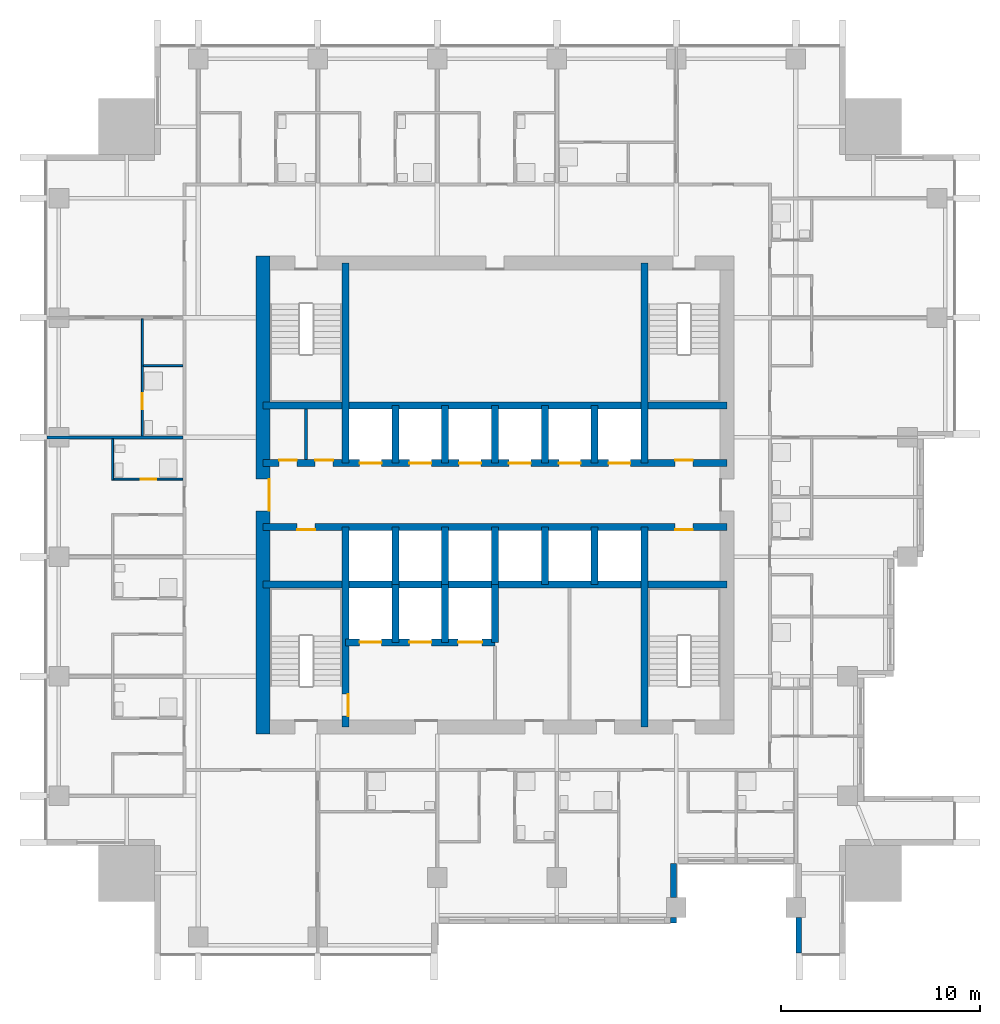
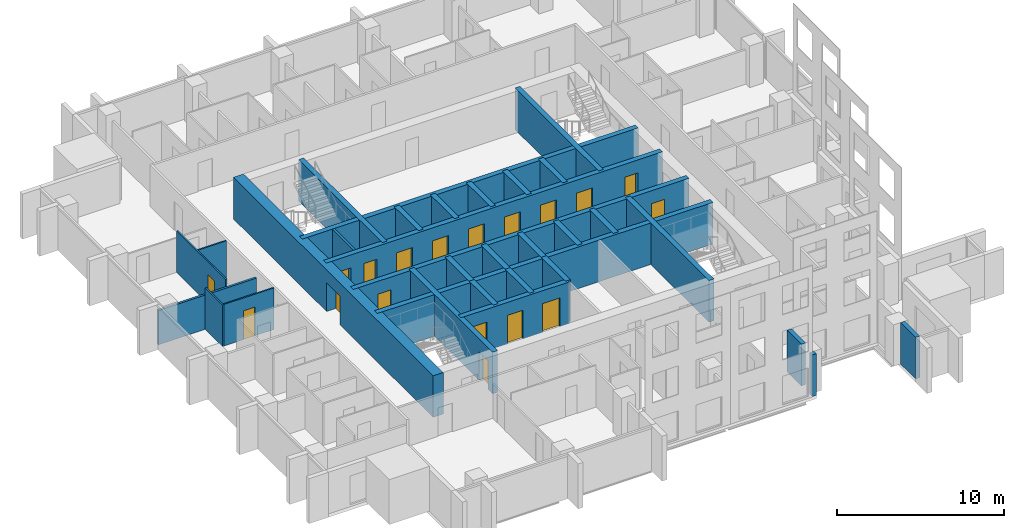
# One storey, part 5 of 11: 32 walls, 18 doors, 18 openings.
"""IFC4 building model written with IfcOpenShell, lengths in metres."""

from ifc_helpers import new_model, si_unit, direction, frame, frame_2d, origin, place, context, subcontext, project, spatial, rectangle, extrude, material, layer, layer_set, type_object, element, fill, save


model = new_model("IFC4")

# Units and contexts
model_context = context("Model", 3, precision=1e-05, world=origin(), true_north=direction((0.0, 1.0)))
body_context = subcontext(model_context, "Body", "Model", "MODEL_VIEW")
ifc_project = project(units=[si_unit("LENGTHUNIT", "METRE"), si_unit("AREAUNIT", "SQUARE_METRE"), si_unit("VOLUMEUNIT", "CUBIC_METRE"), si_unit("PLANEANGLEUNIT", "RADIAN"), si_unit("MASSUNIT", "GRAM", prefix="KILO")], contexts=[model_context])

# Site, building, storey
site_placement = place(None, origin())
site = spatial("IfcSite", under=ifc_project, at=site_placement, CompositionType="ELEMENT")
building_placement = place(site_placement, origin())
building = spatial("IfcBuilding", under=site, at=building_placement, Name="Amberfall Residences", CompositionType="ELEMENT")
storey_placement = place(building_placement, frame((0.0, 0.0, 154.89990234375)))
storey = spatial("IfcBuildingStorey", under=building, at=storey_placement, Name="L41", CompositionType="ELEMENT", Elevation=154.89990234375)

# Walls
ifc_material_1 = material(Name="Pale stone cladding on insulated backing", Category="masonry")
ifc_layer_1 = layer(ifc_material_1, 0.300048828125)
ifc_layer_set_1 = layer_set([ifc_layer_1], Name="Bronze clad wall 300")
wall_type_1 = type_object("IfcWallType", Name="Bronze clad wall 300", PredefinedType="SOLIDWALL", material=ifc_layer_set_1)
wall_1_placement = place(storey_placement, frame((83.449951171875, 24.0, 0.0), z_axis=(0.0, 0.0, 1.0), x_axis=(0.0, 1.0, 0.0)))
element("IfcWall", 1, at=wall_1_placement, inside=storey, type_object=wall_type_1, Name="External wall L41 S", PredefinedType="SOLIDWALL", context=body_context, shape_type="SweptSolid", body=[
    extrude(rectangle(XDim=0.300048828125, YDim=0.300048828125, at=frame_2d((0.14990234375, 0.0))), origin(), (0.0, 0.0, 1.0), 3.050048828125),
])
wall_2_placement = place(storey_placement, frame((83.449951171875, 25.300048828125, 0.0), z_axis=(0.0, 0.0, 1.0), x_axis=(0.0, 1.0, 0.0)))
element("IfcWall", 2, at=wall_2_placement, inside=storey, type_object=wall_type_1, Name="External wall L41 S", PredefinedType="SOLIDWALL", context=body_context, shape_type="SweptSolid", body=[
    extrude(rectangle(XDim=1.699951171875, YDim=0.300048828125, at=frame_2d((0.85009765625, 0.0))), origin(), (0.0, 0.0, 1.0), 3.050048828125),
])
wall_3_placement = place(storey_placement, frame((89.75, 24.300048828125, 0.0), z_axis=(0.0, 0.0, 1.0), x_axis=(0.0, -1.0, 0.0)))
element("IfcWall", 3, at=wall_3_placement, inside=storey, type_object=wall_type_1, Name="External wall L41 S", PredefinedType="SOLIDWALL", context=body_context, shape_type="SweptSolid", body=[
    extrude(rectangle(XDim=1.800048828125, YDim=0.300048828125, at=frame_2d((0.89990234375, 0.0))), origin(), (0.0, 0.0, 1.0), 3.050048828125),
])
ifc_material_2 = material(Name="Concrete C60", Category="concrete")
ifc_layer_2 = layer(ifc_material_2, 0.35009765625)
ifc_layer_set_2 = layer_set([ifc_layer_2], Name="Core wall 350 C60")
wall_type_2 = type_object("IfcWallType", Name="Core wall 350 C60", PredefinedType="SHEAR", material=ifc_layer_set_2)
wall_4_placement = place(storey_placement, frame((62.85009765625, 41.0, 0.0), z_axis=(0.0, 0.0, 1.0), x_axis=(1.0, 0.0, 0.0)))
element("IfcWall", 4, at=wall_4_placement, inside=storey, type_object=wall_type_2, Name="Core wall RW6 L41 H75", PredefinedType="SHEAR", context=body_context, shape_type="SweptSolid", body=[
    extrude(rectangle(XDim=23.2998046875, YDim=0.35009765625, at=frame_2d((11.64990234375, 0.0))), origin(), (0.0, 0.0, 1.0), 3.050048828125),
])

# Wall, openings, doors
wall_5_placement = place(storey_placement, frame((62.85009765625, 43.89990234375, 0.0), z_axis=(0.0, 0.0, 1.0), x_axis=(1.0, 0.0, 0.0)))
wall_5 = element("IfcWall", 5, at=wall_5_placement, inside=storey, type_object=wall_type_2, Name="Core wall RW6 L41 H104", PredefinedType="SHEAR", context=body_context, shape_type="SweptSolid", body=[
    extrude(rectangle(XDim=23.2998046875, YDim=0.35009765625, at=frame_2d((11.64990234375, 0.0))), origin(), (0.0, 0.0, 1.0), 3.050048828125),
])
opening_1_placement = place(wall_5_placement, frame((1.71240234375, 0.0, 0.0)))
opening_1 = element("IfcOpeningElement", 6, at=opening_1_placement, cuts=wall_5, Name="Opening RD1", PredefinedType="OPENING", context=body_context, shape_type="SweptSolid", body=[
    extrude(rectangle(XDim=0.89990234375, YDim=2.10009765625, at=frame_2d((0.449951171875, 1.050048828125))), frame((0.0, 0.18505859375, 0.0), z_axis=(0.0, -1.0, 0.0), x_axis=(1.0, 0.0, 0.0)), (0.0, 0.0, 1.0), 0.3701171875),
])
opening_2_placement = place(wall_5_placement, frame((20.6875, 0.0, 0.0)))
opening_2 = element("IfcOpeningElement", 7, at=opening_2_placement, cuts=wall_5, Name="Opening RD1", PredefinedType="OPENING", context=body_context, shape_type="SweptSolid", body=[
    extrude(rectangle(XDim=0.89990234375, YDim=2.10009765625, at=frame_2d((0.449951171875, 1.050048828125))), frame((0.0, 0.18505859375, 0.0), z_axis=(0.0, -1.0, 0.0), x_axis=(1.0, 0.0, 0.0)), (0.0, 0.0, 1.0), 0.3701171875),
])
ifc_material_3 = material(Name="Steel fire door set", Category="steel")
door_type_1 = type_object("IfcDoorType", Name="Service room door 900 x 2100", OperationType="SINGLE_SWING_LEFT", PredefinedType="DOOR", material=ifc_material_3)
door_1_placement = place(opening_1_placement, origin())
door_1 = element("IfcDoor", 8, at=door_1_placement, inside=storey, type_object=door_type_1, Name="RD1 L41", OperationType="SINGLE_SWING_LEFT", OverallHeight=2.10009765625, OverallWidth=0.89990234375, PredefinedType="DOOR", context=body_context, shape_type="SweptSolid", body=[
    extrude(rectangle(XDim=0.89990234375, YDim=2.10009765625, at=frame_2d((0.449951171875, 1.050048828125))), frame((0.0, -0.1123046875, 0.0), z_axis=(0.0, -1.0, 0.0), x_axis=(1.0, 0.0, 0.0)), (0.0, 0.0, 1.0), 0.050048828125),
])
fill(opening_1, door_1)
door_2_placement = place(opening_2_placement, origin())
door_2 = element("IfcDoor", 9, at=door_2_placement, inside=storey, type_object=door_type_1, Name="RD1 L41", OperationType="SINGLE_SWING_LEFT", OverallHeight=2.10009765625, OverallWidth=0.89990234375, PredefinedType="DOOR", context=body_context, shape_type="SweptSolid", body=[
    extrude(rectangle(XDim=0.89990234375, YDim=2.10009765625, at=frame_2d((0.449951171875, 1.050048828125))), frame((0.0, -0.1123046875, 0.0), z_axis=(0.0, -1.0, 0.0), x_axis=(1.0, 0.0, 0.0)), (0.0, 0.0, 1.0), 0.050048828125),
])
fill(opening_2, door_2)

wall_6_placement = place(storey_placement, frame((62.85009765625, 47.10009765625, 0.0), z_axis=(0.0, 0.0, 1.0), x_axis=(1.0, 0.0, 0.0)))
wall_6 = element("IfcWall", 10, at=wall_6_placement, inside=storey, type_object=wall_type_2, Name="Core wall RW6 L41 H136", PredefinedType="SHEAR", context=body_context, shape_type="SweptSolid", body=[
    extrude(rectangle(XDim=23.2998046875, YDim=0.35009765625, at=frame_2d((11.64990234375, 0.0))), origin(), (0.0, 0.0, 1.0), 3.050048828125),
])
opening_3_placement = place(wall_6_placement, frame((0.806396484375, 0.0, 0.0)))
opening_3 = element("IfcOpeningElement", 11, at=opening_3_placement, cuts=wall_6, Name="Opening RD1", PredefinedType="OPENING", context=body_context, shape_type="SweptSolid", body=[
    extrude(rectangle(XDim=0.89990234375, YDim=2.10009765625, at=frame_2d((0.449951171875, 1.050048828125))), frame((0.0, 0.18505859375, 0.0), z_axis=(0.0, -1.0, 0.0), x_axis=(1.0, 0.0, 0.0)), (0.0, 0.0, 1.0), 0.3701171875),
])
opening_4_placement = place(wall_6_placement, frame((2.618896484375, 0.0, 0.0)))
opening_4 = element("IfcOpeningElement", 12, at=opening_4_placement, cuts=wall_6, Name="Opening RD1", PredefinedType="OPENING", context=body_context, shape_type="SweptSolid", body=[
    extrude(rectangle(XDim=0.89990234375, YDim=2.10009765625, at=frame_2d((0.449951171875, 1.050048828125))), frame((0.0, 0.18505859375, 0.0), z_axis=(0.0, -1.0, 0.0), x_axis=(1.0, 0.0, 0.0)), (0.0, 0.0, 1.0), 0.3701171875),
])
opening_5_placement = place(wall_6_placement, frame((20.6875, 0.0, 0.0)))
opening_5 = element("IfcOpeningElement", 13, at=opening_5_placement, cuts=wall_6, Name="Opening RD1", PredefinedType="OPENING", context=body_context, shape_type="SweptSolid", body=[
    extrude(rectangle(XDim=0.89990234375, YDim=2.10009765625, at=frame_2d((0.449951171875, 1.050048828125))), frame((0.0, 0.18505859375, 0.0), z_axis=(0.0, -1.0, 0.0), x_axis=(1.0, 0.0, 0.0)), (0.0, 0.0, 1.0), 0.3701171875),
])
opening_6_placement = place(wall_6_placement, frame((4.85009765625, 0.0, 0.0)))
opening_6 = element("IfcOpeningElement", 14, at=opening_6_placement, cuts=wall_6, Name="Opening LD1", PredefinedType="OPENING", context=body_context, shape_type="SweptSolid", body=[
    extrude(rectangle(XDim=1.10009765625, YDim=2.10009765625, at=frame_2d((0.550048828125, 1.050048828125))), frame((0.0, 0.18505859375, 0.0), z_axis=(0.0, -1.0, 0.0), x_axis=(1.0, 0.0, 0.0)), (0.0, 0.0, 1.0), 0.3701171875),
])
opening_7_placement = place(wall_6_placement, frame((7.35009765625, 0.0, 0.0)))
opening_7 = element("IfcOpeningElement", 15, at=opening_7_placement, cuts=wall_6, Name="Opening LD1", PredefinedType="OPENING", context=body_context, shape_type="SweptSolid", body=[
    extrude(rectangle(XDim=1.10009765625, YDim=2.10009765625, at=frame_2d((0.550048828125, 1.050048828125))), frame((0.0, 0.18505859375, 0.0), z_axis=(0.0, -1.0, 0.0), x_axis=(1.0, 0.0, 0.0)), (0.0, 0.0, 1.0), 0.3701171875),
])
opening_8_placement = place(wall_6_placement, frame((9.85009765625, 0.0, 0.0)))
opening_8 = element("IfcOpeningElement", 16, at=opening_8_placement, cuts=wall_6, Name="Opening LD1", PredefinedType="OPENING", context=body_context, shape_type="SweptSolid", body=[
    extrude(rectangle(XDim=1.10009765625, YDim=2.10009765625, at=frame_2d((0.550048828125, 1.050048828125))), frame((0.0, 0.18505859375, 0.0), z_axis=(0.0, -1.0, 0.0), x_axis=(1.0, 0.0, 0.0)), (0.0, 0.0, 1.0), 0.3701171875),
])
opening_9_placement = place(wall_6_placement, frame((12.35009765625, 0.0, 0.0)))
opening_9 = element("IfcOpeningElement", 17, at=opening_9_placement, cuts=wall_6, Name="Opening LD1", PredefinedType="OPENING", context=body_context, shape_type="SweptSolid", body=[
    extrude(rectangle(XDim=1.10009765625, YDim=2.10009765625, at=frame_2d((0.550048828125, 1.050048828125))), frame((0.0, 0.18505859375, 0.0), z_axis=(0.0, -1.0, 0.0), x_axis=(1.0, 0.0, 0.0)), (0.0, 0.0, 1.0), 0.3701171875),
])
opening_10_placement = place(wall_6_placement, frame((14.85009765625, 0.0, 0.0)))
opening_10 = element("IfcOpeningElement", 18, at=opening_10_placement, cuts=wall_6, Name="Opening LD1", PredefinedType="OPENING", context=body_context, shape_type="SweptSolid", body=[
    extrude(rectangle(XDim=1.10009765625, YDim=2.10009765625, at=frame_2d((0.550048828125, 1.050048828125))), frame((0.0, 0.18505859375, 0.0), z_axis=(0.0, -1.0, 0.0), x_axis=(1.0, 0.0, 0.0)), (0.0, 0.0, 1.0), 0.3701171875),
])
opening_11_placement = place(wall_6_placement, frame((17.35009765625, 0.0, 0.0)))
opening_11 = element("IfcOpeningElement", 19, at=opening_11_placement, cuts=wall_6, Name="Opening LD1", PredefinedType="OPENING", context=body_context, shape_type="SweptSolid", body=[
    extrude(rectangle(XDim=1.10009765625, YDim=2.10009765625, at=frame_2d((0.550048828125, 1.050048828125))), frame((0.0, 0.18505859375, 0.0), z_axis=(0.0, -1.0, 0.0), x_axis=(1.0, 0.0, 0.0)), (0.0, 0.0, 1.0), 0.3701171875),
])
door_type_2 = type_object("IfcDoorType", Name="Lift landing door 1100 x 2100", OperationType="DOUBLE_DOOR_SLIDING", PredefinedType="DOOR", material=ifc_material_3)
door_3_placement = place(opening_6_placement, origin())
door_3 = element("IfcDoor", 20, at=door_3_placement, inside=storey, type_object=door_type_2, Name="Landing door HP1 L41", OperationType="DOUBLE_DOOR_SLIDING", OverallHeight=2.10009765625, OverallWidth=1.10009765625, PredefinedType="DOOR", context=body_context, shape_type="SweptSolid", body=[
    extrude(rectangle(XDim=1.10009765625, YDim=2.10009765625, at=frame_2d((0.550048828125, 1.050048828125))), frame((0.0, 0.02490234375, 0.0), z_axis=(0.0, -1.0, 0.0), x_axis=(1.0, 0.0, 0.0)), (0.0, 0.0, 1.0), 0.050048828125),
])
fill(opening_6, door_3)
door_4_placement = place(opening_7_placement, origin())
door_4 = element("IfcDoor", 21, at=door_4_placement, inside=storey, type_object=door_type_2, Name="Landing door HP2 L41", OperationType="DOUBLE_DOOR_SLIDING", OverallHeight=2.10009765625, OverallWidth=1.10009765625, PredefinedType="DOOR", context=body_context, shape_type="SweptSolid", body=[
    extrude(rectangle(XDim=1.10009765625, YDim=2.10009765625, at=frame_2d((0.550048828125, 1.050048828125))), frame((0.0, 0.02490234375, 0.0), z_axis=(0.0, -1.0, 0.0), x_axis=(1.0, 0.0, 0.0)), (0.0, 0.0, 1.0), 0.050048828125),
])
fill(opening_7, door_4)
door_5_placement = place(opening_8_placement, origin())
door_5 = element("IfcDoor", 22, at=door_5_placement, inside=storey, type_object=door_type_2, Name="Landing door HP3 L41", OperationType="DOUBLE_DOOR_SLIDING", OverallHeight=2.10009765625, OverallWidth=1.10009765625, PredefinedType="DOOR", context=body_context, shape_type="SweptSolid", body=[
    extrude(rectangle(XDim=1.10009765625, YDim=2.10009765625, at=frame_2d((0.550048828125, 1.050048828125))), frame((0.0, 0.02490234375, 0.0), z_axis=(0.0, -1.0, 0.0), x_axis=(1.0, 0.0, 0.0)), (0.0, 0.0, 1.0), 0.050048828125),
])
fill(opening_8, door_5)
door_6_placement = place(opening_9_placement, origin())
door_6 = element("IfcDoor", 23, at=door_6_placement, inside=storey, type_object=door_type_2, Name="Landing door HP4 L41", OperationType="DOUBLE_DOOR_SLIDING", OverallHeight=2.10009765625, OverallWidth=1.10009765625, PredefinedType="DOOR", context=body_context, shape_type="SweptSolid", body=[
    extrude(rectangle(XDim=1.10009765625, YDim=2.10009765625, at=frame_2d((0.550048828125, 1.050048828125))), frame((0.0, 0.02490234375, 0.0), z_axis=(0.0, -1.0, 0.0), x_axis=(1.0, 0.0, 0.0)), (0.0, 0.0, 1.0), 0.050048828125),
])
fill(opening_9, door_6)
door_7_placement = place(opening_10_placement, origin())
door_7 = element("IfcDoor", 24, at=door_7_placement, inside=storey, type_object=door_type_2, Name="Landing door HP5 L41", OperationType="DOUBLE_DOOR_SLIDING", OverallHeight=2.10009765625, OverallWidth=1.10009765625, PredefinedType="DOOR", context=body_context, shape_type="SweptSolid", body=[
    extrude(rectangle(XDim=1.10009765625, YDim=2.10009765625, at=frame_2d((0.550048828125, 1.050048828125))), frame((0.0, 0.02490234375, 0.0), z_axis=(0.0, -1.0, 0.0), x_axis=(1.0, 0.0, 0.0)), (0.0, 0.0, 1.0), 0.050048828125),
])
fill(opening_10, door_7)
door_8_placement = place(opening_11_placement, origin())
door_8 = element("IfcDoor", 25, at=door_8_placement, inside=storey, type_object=door_type_2, Name="Landing door HP6 L41", OperationType="DOUBLE_DOOR_SLIDING", OverallHeight=2.10009765625, OverallWidth=1.10009765625, PredefinedType="DOOR", context=body_context, shape_type="SweptSolid", body=[
    extrude(rectangle(XDim=1.10009765625, YDim=2.10009765625, at=frame_2d((0.550048828125, 1.050048828125))), frame((0.0, 0.02490234375, 0.0), z_axis=(0.0, -1.0, 0.0), x_axis=(1.0, 0.0, 0.0)), (0.0, 0.0, 1.0), 0.050048828125),
])
fill(opening_11, door_8)
door_9_placement = place(opening_3_placement, origin())
door_9 = element("IfcDoor", 26, at=door_9_placement, inside=storey, type_object=door_type_1, Name="RD1 L41", OperationType="SINGLE_SWING_LEFT", OverallHeight=2.10009765625, OverallWidth=0.89990234375, PredefinedType="DOOR", context=body_context, shape_type="SweptSolid", body=[
    extrude(rectangle(XDim=0.89990234375, YDim=2.10009765625, at=frame_2d((0.449951171875, 1.050048828125))), frame((0.0, 0.16259765625, 0.0), z_axis=(0.0, -1.0, 0.0), x_axis=(1.0, 0.0, 0.0)), (0.0, 0.0, 1.0), 0.050048828125),
])
fill(opening_3, door_9)
door_10_placement = place(opening_4_placement, origin())
door_10 = element("IfcDoor", 27, at=door_10_placement, inside=storey, type_object=door_type_1, Name="RD1 L41", OperationType="SINGLE_SWING_RIGHT", OverallHeight=2.10009765625, OverallWidth=0.89990234375, PredefinedType="DOOR", context=body_context, shape_type="SweptSolid", body=[
    extrude(rectangle(XDim=0.89990234375, YDim=2.10009765625, at=frame_2d((0.449951171875, 1.050048828125))), frame((0.0, 0.16259765625, 0.0), z_axis=(0.0, -1.0, 0.0), x_axis=(1.0, 0.0, 0.0)), (0.0, 0.0, 1.0), 0.050048828125),
])
fill(opening_4, door_10)
door_11_placement = place(opening_5_placement, origin())
door_11 = element("IfcDoor", 28, at=door_11_placement, inside=storey, type_object=door_type_1, Name="RD1 L41", OperationType="SINGLE_SWING_LEFT", OverallHeight=2.10009765625, OverallWidth=0.89990234375, PredefinedType="DOOR", context=body_context, shape_type="SweptSolid", body=[
    extrude(rectangle(XDim=0.89990234375, YDim=2.10009765625, at=frame_2d((0.449951171875, 1.050048828125))), frame((0.0, 0.16259765625, 0.0), z_axis=(0.0, -1.0, 0.0), x_axis=(1.0, 0.0, 0.0)), (0.0, 0.0, 1.0), 0.050048828125),
])
fill(opening_5, door_11)

# Wall
wall_7_placement = place(storey_placement, frame((62.85009765625, 50.0, 0.0), z_axis=(0.0, 0.0, 1.0), x_axis=(1.0, 0.0, 0.0)))
element("IfcWall", 29, at=wall_7_placement, inside=storey, type_object=wall_type_2, Name="Core wall RW6 L41 H165", PredefinedType="SHEAR", context=body_context, shape_type="SweptSolid", body=[
    extrude(rectangle(XDim=23.2998046875, YDim=0.35009765625, at=frame_2d((11.64990234375, 0.0))), origin(), (0.0, 0.0, 1.0), 3.050048828125),
])

# Wall, opening, door
wall_8_placement = place(storey_placement, frame((67.0, 33.85009765625, 0.0), z_axis=(0.0, 0.0, 1.0), x_axis=(0.0, 1.0, 0.0)))
wall_8 = element("IfcWall", 30, at=wall_8_placement, inside=storey, type_object=wall_type_2, Name="Core wall RW6 L41 V45S", PredefinedType="SHEAR", context=body_context, shape_type="SweptSolid", body=[
    extrude(rectangle(XDim=10.0498046875, YDim=0.35009765625, at=frame_2d((5.02490234375, 0.0))), origin(), (0.0, 0.0, 1.0), 3.050048828125),
])
opening_12_placement = place(wall_8_placement, frame((0.550048828125, 0.0, 0.0)))
opening_12 = element("IfcOpeningElement", 31, at=opening_12_placement, cuts=wall_8, Name="Opening FL1", PredefinedType="OPENING", context=body_context, shape_type="SweptSolid", body=[
    extrude(rectangle(XDim=1.10009765625, YDim=2.10009765625, at=frame_2d((0.550048828125, 1.050048828125))), frame((0.0, 0.18505859375, 0.0), z_axis=(0.0, -1.0, 0.0), x_axis=(1.0, 0.0, 0.0)), (0.0, 0.0, 1.0), 0.3701171875),
])
door_type_3 = type_object("IfcDoorType", Name="Firefighting lobby door 1100 x 2100", OperationType="SINGLE_SWING_LEFT", PredefinedType="DOOR", material=ifc_material_3)
door_12_placement = place(opening_12_placement, origin())
door_12 = element("IfcDoor", 32, at=door_12_placement, inside=storey, type_object=door_type_3, Name="FL1 L41", OperationType="SINGLE_SWING_RIGHT", OverallHeight=2.10009765625, OverallWidth=1.10009765625, PredefinedType="DOOR", context=body_context, shape_type="SweptSolid", body=[
    extrude(rectangle(XDim=1.10009765625, YDim=2.10009765625, at=frame_2d((0.550048828125, 1.050048828125))), frame((0.0, -0.1123046875, 0.0), z_axis=(0.0, -1.0, 0.0), x_axis=(1.0, 0.0, 0.0)), (0.0, 0.0, 1.0), 0.050048828125),
])
fill(opening_12, door_12)

# Walls
for number, where, z_axis, x_axis, name in (
    (33, (67.0, 47.10009765625, 0.0), (0.0, 0.0, 1.0), (0.0, 1.0, 0.0), "Core wall RW6 L41 V45N"),
    (34, (82.0, 33.85009765625, 0.0), (0.0, 0.0, 1.0), (0.0, 1.0, 0.0), "Core wall RW6 L41 V195S"),
    (35, (82.0, 47.10009765625, 0.0), (0.0, 0.0, 1.0), (0.0, 1.0, 0.0), "Core wall RW6 L41 V195N"),
):
    element("IfcWall", number, at=place(storey_placement, frame(where, z_axis=z_axis, x_axis=x_axis)), inside=storey, type_object=wall_type_2, Name=name, PredefinedType="SHEAR", context=body_context, shape_type="SweptSolid", body=[
        extrude(rectangle(XDim=10.0498046875, YDim=0.35009765625, at=frame_2d((5.02490234375, 0.0))), origin(), (0.0, 0.0, 1.0), 3.050048828125),
    ])
for number, where, z_axis, x_axis, name in (
    (36, (69.5, 41.0, 0.0), (0.0, 0.0, 1.0), (0.0, 1.0, 0.0), "Core wall RW6 L41 LPD1"),
    (37, (69.5, 47.10009765625, 0.0), (0.0, 0.0, 1.0), (0.0, 1.0, 0.0), "Core wall RW6 L41 HPD1"),
    (38, (72.0, 41.0, 0.0), (0.0, 0.0, 1.0), (0.0, 1.0, 0.0), "Core wall RW6 L41 LPD2"),
    (39, (72.0, 47.10009765625, 0.0), (0.0, 0.0, 1.0), (0.0, 1.0, 0.0), "Core wall RW6 L41 HPD2"),
    (40, (74.5, 41.0, 0.0), (0.0, 0.0, 1.0), (0.0, 1.0, 0.0), "Core wall RW6 L41 LPD3"),
    (41, (74.5, 47.10009765625, 0.0), (0.0, 0.0, 1.0), (0.0, 1.0, 0.0), "Core wall RW6 L41 HPD3"),
    (42, (77.0, 41.0, 0.0), (0.0, 0.0, 1.0), (0.0, 1.0, 0.0), "Core wall RW6 L41 LPD4"),
    (43, (77.0, 47.10009765625, 0.0), (0.0, 0.0, 1.0), (0.0, 1.0, 0.0), "Core wall RW6 L41 HPD4"),
    (44, (79.5, 41.0, 0.0), (0.0, 0.0, 1.0), (0.0, 1.0, 0.0), "Core wall RW6 L41 LPD5"),
    (45, (79.5, 47.10009765625, 0.0), (0.0, 0.0, 1.0), (0.0, 1.0, 0.0), "Core wall RW6 L41 HPD5"),
):
    element("IfcWall", number, at=place(storey_placement, frame(where, z_axis=z_axis, x_axis=x_axis)), inside=storey, type_object=wall_type_2, Name=name, PredefinedType="SHEAR", context=body_context, shape_type="SweptSolid", body=[
        extrude(rectangle(XDim=2.89990234375, YDim=0.35009765625, at=frame_2d((1.449951171875, 0.0))), origin(), (0.0, 0.0, 1.0), 3.050048828125),
    ])

# Wall, openings, doors
wall_9_placement = place(storey_placement, frame((67.0, 38.10009765625, 0.0), z_axis=(0.0, 0.0, 1.0), x_axis=(1.0, 0.0, 0.0)))
wall_9 = element("IfcWall", 46, at=wall_9_placement, inside=storey, type_object=wall_type_2, Name="Core wall RW6 L41 FFF", PredefinedType="SHEAR", context=body_context, shape_type="SweptSolid", body=[
    extrude(rectangle(XDim=7.5, YDim=0.35009765625, at=frame_2d((3.75, 0.0))), origin(), (0.0, 0.0, 1.0), 3.050048828125),
])
opening_13_placement = place(wall_9_placement, frame((0.699951171875, 0.0, 0.0)))
opening_13 = element("IfcOpeningElement", 47, at=opening_13_placement, cuts=wall_9, Name="Opening LD2", PredefinedType="OPENING", context=body_context, shape_type="SweptSolid", body=[
    extrude(rectangle(XDim=1.10009765625, YDim=2.10009765625, at=frame_2d((0.550048828125, 1.050048828125))), frame((0.0, 0.18505859375, 0.0), z_axis=(0.0, -1.0, 0.0), x_axis=(1.0, 0.0, 0.0)), (0.0, 0.0, 1.0), 0.3701171875),
])
opening_14_placement = place(wall_9_placement, frame((3.199951171875, 0.0, 0.0)))
opening_14 = element("IfcOpeningElement", 48, at=opening_14_placement, cuts=wall_9, Name="Opening LD2", PredefinedType="OPENING", context=body_context, shape_type="SweptSolid", body=[
    extrude(rectangle(XDim=1.10009765625, YDim=2.10009765625, at=frame_2d((0.550048828125, 1.050048828125))), frame((0.0, 0.18505859375, 0.0), z_axis=(0.0, -1.0, 0.0), x_axis=(1.0, 0.0, 0.0)), (0.0, 0.0, 1.0), 0.3701171875),
])
opening_15_placement = place(wall_9_placement, frame((5.64990234375, 0.0, 0.0)))
opening_15 = element("IfcOpeningElement", 49, at=opening_15_placement, cuts=wall_9, Name="Opening LD3", PredefinedType="OPENING", context=body_context, shape_type="SweptSolid", body=[
    extrude(rectangle(XDim=1.199951171875, YDim=2.10009765625, at=frame_2d((0.60009765625, 1.050048828125))), frame((0.0, 0.18505859375, 0.0), z_axis=(0.0, -1.0, 0.0), x_axis=(1.0, 0.0, 0.0)), (0.0, 0.0, 1.0), 0.3701171875),
])
door_type_4 = type_object("IfcDoorType", Name="Firefighting lift landing door 1100 x 2100", OperationType="DOUBLE_DOOR_SLIDING", PredefinedType="DOOR", material=ifc_material_3)
door_13_placement = place(opening_13_placement, origin())
door_13 = element("IfcDoor", 50, at=door_13_placement, inside=storey, type_object=door_type_4, Name="Landing door FF1 L41", OperationType="DOUBLE_DOOR_SLIDING", OverallHeight=2.10009765625, OverallWidth=1.10009765625, PredefinedType="DOOR", context=body_context, shape_type="SweptSolid", body=[
    extrude(rectangle(XDim=1.10009765625, YDim=2.10009765625, at=frame_2d((0.550048828125, 1.050048828125))), frame((0.0, 0.02490234375, 0.0), z_axis=(0.0, -1.0, 0.0), x_axis=(1.0, 0.0, 0.0)), (0.0, 0.0, 1.0), 0.050048828125),
])
fill(opening_13, door_13)
door_14_placement = place(opening_14_placement, origin())
door_14 = element("IfcDoor", 51, at=door_14_placement, inside=storey, type_object=door_type_4, Name="Landing door FF2 L41", OperationType="DOUBLE_DOOR_SLIDING", OverallHeight=2.10009765625, OverallWidth=1.10009765625, PredefinedType="DOOR", context=body_context, shape_type="SweptSolid", body=[
    extrude(rectangle(XDim=1.10009765625, YDim=2.10009765625, at=frame_2d((0.550048828125, 1.050048828125))), frame((0.0, 0.02490234375, 0.0), z_axis=(0.0, -1.0, 0.0), x_axis=(1.0, 0.0, 0.0)), (0.0, 0.0, 1.0), 0.050048828125),
])
fill(opening_14, door_14)
door_type_5 = type_object("IfcDoorType", Name="Service lift landing door 1200 x 2100", OperationType="DOUBLE_DOOR_SLIDING", PredefinedType="DOOR", material=ifc_material_3)
door_15_placement = place(opening_15_placement, origin())
door_15 = element("IfcDoor", 52, at=door_15_placement, inside=storey, type_object=door_type_5, Name="Landing door SL1 L41", OperationType="DOUBLE_DOOR_SLIDING", OverallHeight=2.10009765625, OverallWidth=1.199951171875, PredefinedType="DOOR", context=body_context, shape_type="SweptSolid", body=[
    extrude(rectangle(XDim=1.199951171875, YDim=2.10009765625, at=frame_2d((0.60009765625, 1.050048828125))), frame((0.0, 0.02490234375, 0.0), z_axis=(0.0, -1.0, 0.0), x_axis=(1.0, 0.0, 0.0)), (0.0, 0.0, 1.0), 0.050048828125),
])
fill(opening_15, door_15)

# Walls
for number, where, z_axis, x_axis, name in (
    (53, (69.5, 38.10009765625, 0.0), (0.0, 0.0, 1.0), (0.0, 1.0, 0.0), "Core wall RW6 L41 FFD1"),
    (54, (72.0, 38.10009765625, 0.0), (0.0, 0.0, 1.0), (0.0, 1.0, 0.0), "Core wall RW6 L41 FFD2"),
    (55, (74.5, 38.10009765625, 0.0), (0.0, 0.0, 1.0), (0.0, 1.0, 0.0), "Core wall RW6 L41 FFD3"),
):
    element("IfcWall", number, at=place(storey_placement, frame(where, z_axis=z_axis, x_axis=x_axis)), inside=storey, type_object=wall_type_2, Name=name, PredefinedType="SHEAR", context=body_context, shape_type="SweptSolid", body=[
        extrude(rectangle(XDim=2.89990234375, YDim=0.35009765625, at=frame_2d((1.449951171875, 0.0))), origin(), (0.0, 0.0, 1.0), 3.050048828125),
    ])

# Wall, opening, door
ifc_layer_3 = layer(ifc_material_2, 0.699951171875)
ifc_layer_set_3 = layer_set([ifc_layer_3], Name="Core wall 700 C60")
wall_type_3 = type_object("IfcWallType", Name="Core wall 700 C60", PredefinedType="SHEAR", material=ifc_layer_set_3)
wall_10_placement = place(storey_placement, frame((62.85009765625, 33.5, 0.0), z_axis=(0.0, 0.0, 1.0), x_axis=(0.0, 1.0, 0.0)))
wall_10 = element("IfcWall", 56, at=wall_10_placement, inside=storey, type_object=wall_type_3, Name="Core wall RW5 L41 OW", PredefinedType="SHEAR", context=body_context, shape_type="SweptSolid", body=[
    extrude(rectangle(XDim=24.0, YDim=0.699951171875, at=frame_2d((12.0, 0.0))), origin(), (0.0, 0.0, 1.0), 3.050048828125),
])
opening_16_placement = place(wall_10_placement, frame((11.199951171875, 0.0, 0.0)))
opening_16 = element("IfcOpeningElement", 57, at=opening_16_placement, cuts=wall_10, Name="Opening LB1", PredefinedType="OPENING", context=body_context, shape_type="SweptSolid", body=[
    extrude(rectangle(XDim=1.60009765625, YDim=2.10009765625, at=frame_2d((0.800048828125, 1.050048828125))), frame((0.0, 0.35986328125, 0.0), z_axis=(0.0, -1.0, 0.0), x_axis=(1.0, 0.0, 0.0)), (0.0, 0.0, 1.0), 0.719970703125),
])
door_type_6 = type_object("IfcDoorType", Name="Lift lobby double door 1600 x 2100", OperationType="DOUBLE_DOOR_SINGLE_SWING", PredefinedType="DOOR", material=ifc_material_3)
door_16_placement = place(opening_16_placement, origin())
door_16 = element("IfcDoor", 58, at=door_16_placement, inside=storey, type_object=door_type_6, Name="LB1 L41", OperationType="DOUBLE_DOOR_SINGLE_SWING", OverallHeight=2.10009765625, OverallWidth=1.60009765625, PredefinedType="DOOR", context=body_context, shape_type="SweptSolid", body=[
    extrude(rectangle(XDim=1.60009765625, YDim=2.10009765625, at=frame_2d((0.800048828125, 1.050048828125))), frame((0.0, -0.28759765625, 0.0), z_axis=(0.0, -1.0, 0.0), x_axis=(1.0, 0.0, 0.0)), (0.0, 0.0, 1.0), 0.050048828125),
])
fill(opening_16, door_16)

# Wall
ifc_material_4 = material(Name="Gypsum board on metal stud")
ifc_layer_4 = layer(ifc_material_4, 0.10009765625)
ifc_layer_set_4 = layer_set([ifc_layer_4], Name="Flat partition 100")
wall_type_4 = type_object("IfcWallType", Name="Flat partition 100", PredefinedType="PARTITIONING", material=ifc_layer_set_4)
wall_11_placement = place(storey_placement, frame((55.300048828125, 46.25, 0.0), z_axis=(0.0, 0.0, 1.0), x_axis=(0.0, 1.0, 0.0)))
element("IfcWall", 59, at=wall_11_placement, inside=storey, type_object=wall_type_4, Name="Partition 004", PredefinedType="PARTITIONING", context=body_context, shape_type="SweptSolid", body=[
    extrude(rectangle(XDim=2.074951171875, YDim=0.10009765625, at=frame_2d((1.03759765625, 0.0))), origin(), (0.0, 0.0, 1.0), 3.050048828125),
])

# Wall, opening, door
wall_12_placement = place(storey_placement, frame((56.800048828125, 54.35009765625, 0.0), z_axis=(0.0, 0.0, 1.0), x_axis=(0.0, -1.0, 0.0)))
wall_12 = element("IfcWall", 60, at=wall_12_placement, inside=storey, type_object=wall_type_4, Name="Partition 005", PredefinedType="PARTITIONING", context=body_context, shape_type="SweptSolid", body=[
    extrude(rectangle(XDim=5.875, YDim=0.10009765625, at=frame_2d((2.9375, 0.0))), origin(), (0.0, 0.0, 1.0), 3.050048828125),
])
opening_17_placement = place(wall_12_placement, frame((3.75, 0.0, 0.0)))
opening_17 = element("IfcOpeningElement", 61, at=opening_17_placement, cuts=wall_12, Name="Opening D42", PredefinedType="OPENING", context=body_context, shape_type="SweptSolid", body=[
    extrude(rectangle(XDim=0.800048828125, YDim=2.10009765625, at=frame_2d((0.39990234375, 1.050048828125))), frame((0.0, 0.06005859375, 0.0), z_axis=(0.0, -1.0, 0.0), x_axis=(1.0, 0.0, 0.0)), (0.0, 0.0, 1.0), 0.1201171875),
])
ifc_material_5 = material(Name="Timber", Category="wood")
door_type_7 = type_object("IfcDoorType", Name="Bathroom door 800 x 2100", OperationType="SINGLE_SWING_LEFT", PredefinedType="DOOR", material=ifc_material_5)
door_17_placement = place(opening_17_placement, origin())
door_17 = element("IfcDoor", 62, at=door_17_placement, inside=storey, type_object=door_type_7, Name="Door 4115 bath1", OperationType="SINGLE_SWING_LEFT", OverallHeight=2.10009765625, OverallWidth=0.800048828125, PredefinedType="DOOR", context=body_context, shape_type="SweptSolid", body=[
    extrude(rectangle(XDim=0.800048828125, YDim=2.10009765625, at=frame_2d((0.39990234375, 1.050048828125))), frame((0.0, 0.02490234375, 0.0), z_axis=(0.0, -1.0, 0.0), x_axis=(1.0, 0.0, 0.0)), (0.0, 0.0, 1.0), 0.050048828125),
])
fill(opening_17, door_17)

# Wall
wall_13_placement = place(storey_placement, frame((56.85009765625, 52.0, 0.0), z_axis=(0.0, 0.0, 1.0), x_axis=(1.0, 0.0, 0.0)))
element("IfcWall", 63, at=wall_13_placement, inside=storey, type_object=wall_type_4, Name="Partition 033", PredefinedType="PARTITIONING", context=body_context, shape_type="SweptSolid", body=[
    extrude(rectangle(XDim=1.974853515625, YDim=0.10009765625, at=frame_2d((0.9873046875, 0.0))), origin(), (0.0, 0.0, 1.0), 3.050048828125),
])

# Wall, opening, door
wall_14_placement = place(storey_placement, frame((55.35009765625, 46.300048828125, 0.0), z_axis=(0.0, 0.0, 1.0), x_axis=(1.0, 0.0, 0.0)))
wall_14 = element("IfcWall", 64, at=wall_14_placement, inside=storey, type_object=wall_type_4, Name="Partition 036", PredefinedType="PARTITIONING", context=body_context, shape_type="SweptSolid", body=[
    extrude(rectangle(XDim=3.474853515625, YDim=0.10009765625, at=frame_2d((1.7373046875, 0.0))), origin(), (0.0, 0.0, 1.0), 3.050048828125),
])
opening_18_placement = place(wall_14_placement, frame((1.35009765625, 0.0, 0.0)))
opening_18 = element("IfcOpeningElement", 65, at=opening_18_placement, cuts=wall_14, Name="Opening D42", PredefinedType="OPENING", context=body_context, shape_type="SweptSolid", body=[
    extrude(rectangle(XDim=0.800048828125, YDim=2.10009765625, at=frame_2d((0.39990234375, 1.050048828125))), frame((0.0, 0.06005859375, 0.0), z_axis=(0.0, -1.0, 0.0), x_axis=(1.0, 0.0, 0.0)), (0.0, 0.0, 1.0), 0.1201171875),
])
door_18_placement = place(opening_18_placement, origin())
door_18 = element("IfcDoor", 66, at=door_18_placement, inside=storey, type_object=door_type_7, Name="Door 4114 bath1", OperationType="SINGLE_SWING_LEFT", OverallHeight=2.10009765625, OverallWidth=0.800048828125, PredefinedType="DOOR", context=body_context, shape_type="SweptSolid", body=[
    extrude(rectangle(XDim=0.800048828125, YDim=2.10009765625, at=frame_2d((0.39990234375, 1.050048828125))), frame((0.0, 0.02490234375, 0.0), z_axis=(0.0, -1.0, 0.0), x_axis=(1.0, 0.0, 0.0)), (0.0, 0.0, 1.0), 0.050048828125),
])
fill(opening_18, door_18)

# Walls
ifc_material_6 = material(Name="Blockwork, plastered", Category="masonry")
ifc_layer_5 = layer(ifc_material_6, 0.14990234375)
ifc_layer_set_5 = layer_set([ifc_layer_5], Name="Flat separating wall 150")
wall_type_5 = type_object("IfcWallType", Name="Flat separating wall 150", PredefinedType="PARTITIONING", material=ifc_layer_set_5)
wall_15_placement = place(storey_placement, frame((52.0, 48.39990234375, 0.0), z_axis=(0.0, 0.0, 1.0), x_axis=(1.0, 0.0, 0.0)))
element("IfcWall", 67, at=wall_15_placement, inside=storey, type_object=wall_type_5, Name="Separating wall 063", PredefinedType="PARTITIONING", context=body_context, shape_type="SweptSolid", body=[
    extrude(rectangle(XDim=6.824951171875, YDim=0.14990234375, at=frame_2d((3.41259765625, 0.0))), origin(), (0.0, 0.0, 1.0), 2.51611328125),
])
ifc_material_7 = material(Name="Concrete blockwork", Category="masonry")
ifc_layer_6 = layer(ifc_material_7, 0.14990234375)
ifc_layer_set_6 = layer_set([ifc_layer_6], Name="Riser wall 150")
wall_type_6 = type_object("IfcWallType", Name="Riser wall 150", PredefinedType="PLUMBINGWALL", material=ifc_layer_set_6)
wall_16_placement = place(storey_placement, frame((65.012451171875, 47.27490234375, 0.0), z_axis=(0.0, 0.0, 1.0), x_axis=(0.0, 1.0, 0.0)))
element("IfcWall", 68, at=wall_16_placement, inside=storey, type_object=wall_type_6, Name="L41 core wall ANW0", PredefinedType="PLUMBINGWALL", context=body_context, shape_type="SweptSolid", body=[
    extrude(rectangle(XDim=2.550048828125, YDim=0.14990234375, at=frame_2d((1.27490234375, 0.0))), origin(), (0.0, 0.0, 1.0), 3.050048828125),
])

save(model, "model.ifc")
